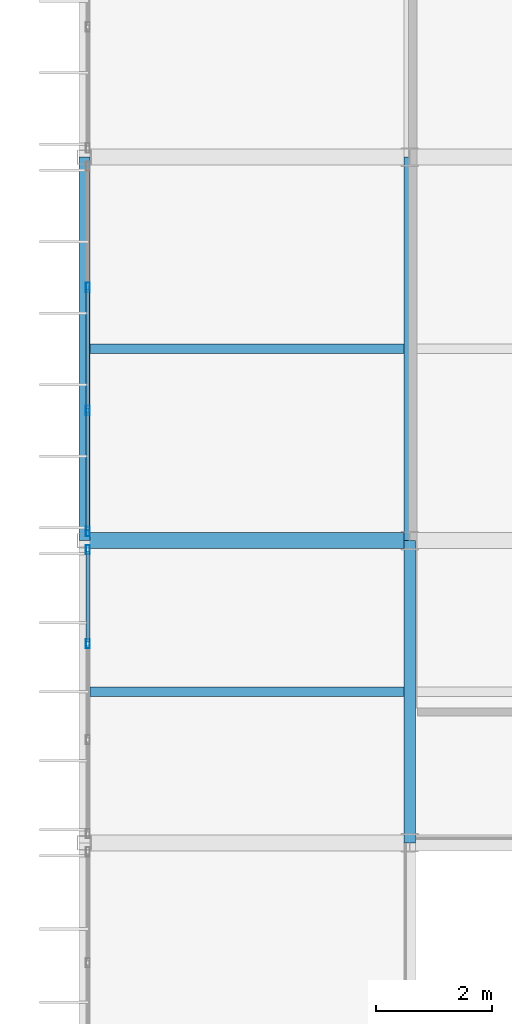
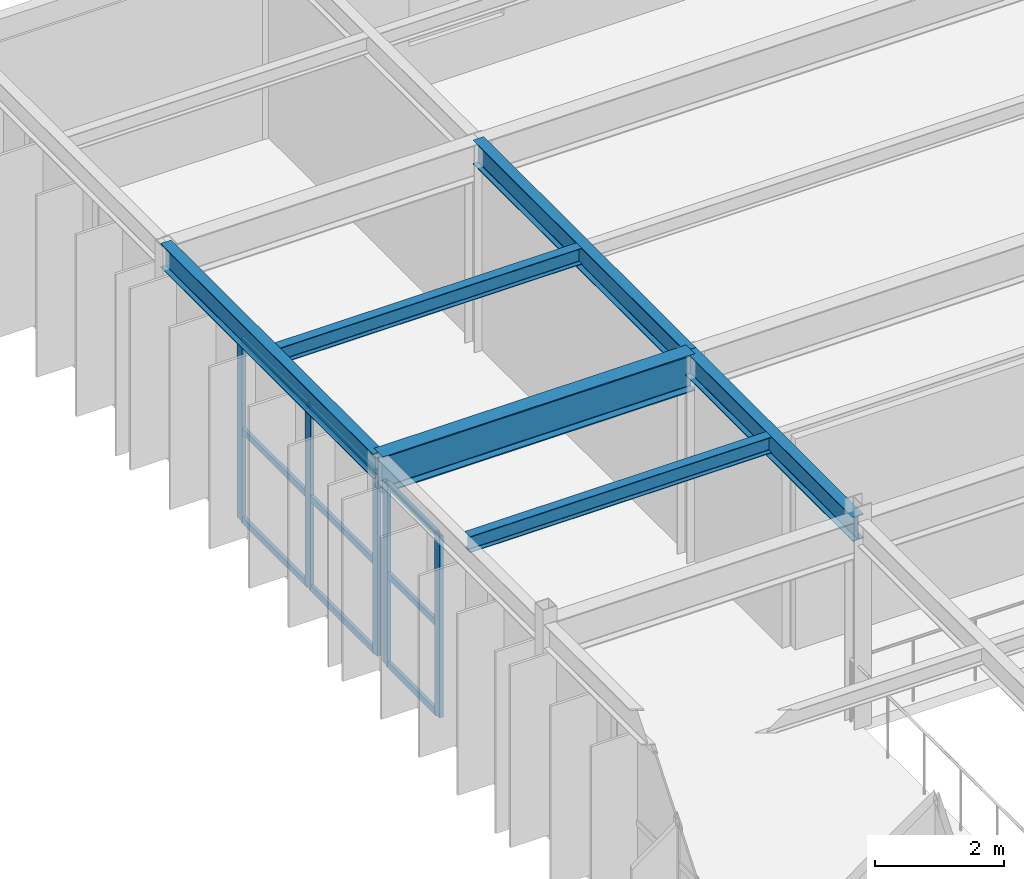
# One storey, part 46 of 157: 14 members, 6 beams, 2 elements without a shape of their own.
"""IFC4 building model written with IfcOpenShell, lengths in metres."""

import ifcopenshell
import ifcopenshell.guid

model = None  # the IFC model being written
_history = None  # IfcOwnerHistory: only IFC2X3 demands one
_inside = {}  # id of a spatial element -> (the spatial element, [elements in it])
_under = {}  # id of a project, library or spatial element -> (it, [spatial elements below it])
_declared = {}  # id of a project -> (the project, [libraries it declares])
_typed = {}  # id of a type object -> (the type object, [elements of that type])
_made_of = {}  # id of a material, layer set ... -> (it, [elements and type objects made of it])


def new_model(schema):
    """Start an empty IFC model of exactly this schema.

    Asked for "IFC4X3", IfcOpenShell would pick the latest addendum, in which some entities
    have other attributes; the version numbers below select the first issue.
    IFC2X3 requires an IfcOwnerHistory on every rooted entity: one is made here for all.
    """
    global model, _history
    if schema == "IFC4X3":
        model = ifcopenshell.file(schema_version=(4, 3, 0, 0))
    else:
        model = ifcopenshell.file(schema=schema)
    _inside.clear()
    _under.clear()
    _declared.clear()
    _typed.clear()
    _made_of.clear()
    _history = None
    if model.schema == "IFC2X3":
        org = make("IfcOrganization", Name="unknown")
        user = make(
            "IfcPersonAndOrganization",
            ThePerson=make("IfcPerson", FamilyName="unknown"),
            TheOrganization=org,
        )
        app = make(
            "IfcApplication",
            ApplicationDeveloper=org,
            Version="unknown",
            ApplicationFullName="unknown",
            ApplicationIdentifier="unknown",
        )
        _history = make(
            "IfcOwnerHistory",
            OwningUser=user,
            OwningApplication=app,
            ChangeAction="ADDED",
            CreationDate=0,
        )
    return model


def make(cls, **values):
    """One entity of the class cls with the attributes given. An attribute that is None is left unset."""
    return model.create_entity(
        cls, **{name: value for name, value in values.items() if value is not None}
    )


def rooted(cls, **values):
    """An entity with a GlobalId (a new one), such as an element, a storey or a relation."""
    return make(cls, GlobalId=ifcopenshell.guid.new(), OwnerHistory=_history, **values)


def si_unit(unit_type, name, prefix=None):
    """IfcSIUnit, for example si_unit("LENGTHUNIT", "METRE", prefix="MILLI")."""
    return make("IfcSIUnit", UnitType=unit_type, Prefix=prefix, Name=name)


def assignment(units):
    """IfcUnitAssignment: the units of a project."""
    return None if units is None else make("IfcUnitAssignment", Units=units)


def point(xyz):
    """IfcCartesianPoint."""
    return None if xyz is None else make("IfcCartesianPoint", Coordinates=xyz)


def direction(xyz):
    """IfcDirection."""
    return None if xyz is None else make("IfcDirection", DirectionRatios=xyz)


def frame(location, z_axis=None, x_axis=None):
    """IfcAxis2Placement3D, a coordinate frame: its origin and axes. An axis left out is left unset."""
    return make(
        "IfcAxis2Placement3D",
        Location=point(location),
        Axis=direction(z_axis),
        RefDirection=direction(x_axis),
    )


def frame_2d(location, x_axis=None):
    """IfcAxis2Placement2D, a coordinate frame in the plane: its origin and x axis."""
    return make(
        "IfcAxis2Placement2D", Location=point(location), RefDirection=direction(x_axis)
    )


def origin():
    """The frame at (0, 0, 0) with its axes left unset."""
    return frame((0.0, 0.0, 0.0))


def origin_2d():
    """The frame at (0, 0) in the plane with its x axis left unset."""
    return frame_2d((0.0, 0.0))


def place(relative_to, where):
    """IfcLocalPlacement: puts the frame where relative to a parent placement (None: the world)."""
    return make(
        "IfcLocalPlacement", PlacementRelTo=relative_to, RelativePlacement=where
    )


def context(
    kind, dimensions, precision=None, world=None, true_north=None, identifier=None
):
    """IfcGeometricRepresentationContext, for example the 3D "Model" context."""
    return make(
        "IfcGeometricRepresentationContext",
        ContextIdentifier=identifier,
        ContextType=kind,
        CoordinateSpaceDimension=dimensions,
        Precision=precision,
        WorldCoordinateSystem=world,
        TrueNorth=true_north,
    )


def subcontext(parent, identifier, kind, view, scale=None):
    """IfcGeometricRepresentationSubContext, for example "Body" below "Model"."""
    return make(
        "IfcGeometricRepresentationSubContext",
        ContextIdentifier=identifier,
        ContextType=kind,
        ParentContext=parent,
        TargetScale=scale,
        TargetView=view,
    )


def project(units=None, contexts=None):
    """IfcProject with its units and contexts."""
    return rooted(
        "IfcProject",
        Name="project",
        RepresentationContexts=contexts,
        UnitsInContext=assignment(units),
    )


def spatial(cls, under=None, at=None, **own):
    """A site, building, storey or space (cls), placed at a placement, below another one or the project."""
    s = rooted(cls, ObjectPlacement=at, **own)
    if under is not None:
        _under.setdefault(under.id(), (under, []))[1].append(s)
    return s


def profile(cls, at=None, kind="AREA", **sizes):
    """A parametric profile (cls). Its sizes go by their IFC names, for example OverallWidth=200.0."""
    return make(cls, ProfileType=kind, Position=at, **sizes)


def hollow_rectangle(**sizes):
    """IfcRectangleHollowProfileDef."""
    return profile("IfcRectangleHollowProfileDef", **sizes)


def i_section(**sizes):
    """IfcIShapeProfileDef."""
    return profile("IfcIShapeProfileDef", **sizes)


def extrude(swept, where, along, depth):
    """IfcExtrudedAreaSolid: the profile swept, set in the frame where, extruded along a direction by depth."""
    return make(
        "IfcExtrudedAreaSolid",
        SweptArea=swept,
        Position=where,
        ExtrudedDirection=direction(along),
        Depth=depth,
    )


def shape(context_of_items, identifier, shape_type, items):
    """IfcShapeRepresentation: the items that make up one representation, for example the "Body"."""
    return make(
        "IfcShapeRepresentation",
        ContextOfItems=context_of_items,
        RepresentationIdentifier=identifier,
        RepresentationType=shape_type,
        Items=items,
    )


def material(Name=None, Category=None):
    """IfcMaterial."""
    return make("IfcMaterial", Name=Name, Category=Category)


def material_profile(
    of_material, cross_section, Name=None, Category=None, Priority=None
):
    """IfcMaterialProfile: a cross section and its material."""
    return make(
        "IfcMaterialProfile",
        Name=Name,
        Material=of_material,
        Profile=cross_section,
        Priority=Priority,
        Category=Category,
    )


def profile_set(profiles, Name=None, composite=None):
    """IfcMaterialProfileSet."""
    return make(
        "IfcMaterialProfileSet",
        Name=Name,
        MaterialProfiles=profiles,
        CompositeProfile=composite,
    )


def made_of(thing, what):
    """Note that an element or type object is made of a material, layer set ...; save() writes the relation."""
    if what is not None:
        _made_of.setdefault(what.id(), (what, []))[1].append(thing)
    return thing


def type_object(cls, material=None, **own):
    """A type object (cls), such as IfcWallType, which elements share."""
    return made_of(rooted(cls, **own), material)


def element(
    cls,
    number,
    at=None,
    inside=None,
    cuts=None,
    type_object=None,
    material=None,
    context=None,
    identifier="Body",
    shape_type=None,
    held_by="IfcProductDefinitionShape",
    body=None,
    shapes=None,
    **own,
):
    """One element of the class cls, such as IfcWall. Its Tag is "e" and its number.

    at: its placement. inside: the storey or other place that contains it. cuts: it is an
    opening in that element (IfcRelVoidsElement). A single representation is given by context,
    identifier, shape_type and body (its items); several are given by shapes. held_by: the class
    of the entity that holds the representations. save() writes the other relations.
    """
    e = rooted(cls, Tag="e%d" % number, ObjectPlacement=at, **own)
    if body is not None:
        shapes = [shape(context, identifier, shape_type, body)]
    if shapes is not None:
        e.Representation = make(held_by, Representations=shapes)
    if inside is not None:
        _inside.setdefault(inside.id(), (inside, []))[1].append(e)
    if cuts is not None:
        rooted(
            "IfcRelVoidsElement", RelatingBuildingElement=cuts, RelatedOpeningElement=e
        )
    if type_object is not None:
        _typed.setdefault(type_object.id(), (type_object, []))[1].append(e)
    return made_of(e, material)


def aggregate(whole, parts):
    """IfcRelAggregates: a whole, such as a stair, and the parts it consists of."""
    return rooted("IfcRelAggregates", RelatingObject=whole, RelatedObjects=parts)


def save(model, path):
    """Write the relations noted so far, then the file.

    IfcRelAggregates (storeys below a building ...), IfcRelContainedInSpatialStructure (elements
    in a storey), IfcRelDefinesByType, IfcRelAssociatesMaterial and IfcRelDeclares: one each for
    every whole, place, type object, material and project.
    """
    for whole, parts in _under.values():
        aggregate(whole, parts)
    for where, things in _inside.values():
        rooted(
            "IfcRelContainedInSpatialStructure",
            RelatedElements=things,
            RelatingStructure=where,
        )
    for kind, things in _typed.values():
        rooted("IfcRelDefinesByType", RelatedObjects=things, RelatingType=kind)
    for what, things in _made_of.values():
        rooted("IfcRelAssociatesMaterial", RelatedObjects=things, RelatingMaterial=what)
    for by, libraries in _declared.values():
        rooted("IfcRelDeclares", RelatingContext=by, RelatedDefinitions=libraries)
    model.write(path)


model = new_model("IFC4")

# Units and contexts
model_context = context("Model", 3, precision=1e-05, world=origin(), true_north=direction((0.0, 1.0)))
body_context = subcontext(model_context, "Body", "Model", "MODEL_VIEW")
ifc_project = project(units=[si_unit("LENGTHUNIT", "METRE"), si_unit("AREAUNIT", "SQUARE_METRE"), si_unit("VOLUMEUNIT", "CUBIC_METRE"), si_unit("PLANEANGLEUNIT", "RADIAN"), si_unit("MASSUNIT", "GRAM", prefix="KILO")], contexts=[model_context])

# Site, building, storey
site_placement = place(None, origin())
site = spatial("IfcSite", under=ifc_project, at=site_placement, CompositionType="ELEMENT")
building_placement = place(site_placement, origin())
building = spatial("IfcBuilding", under=site, at=building_placement, Name="Karori Crest Natural Sciences Institute", CompositionType="ELEMENT")
storey_placement = place(building_placement, frame((0.0, 0.0, 13.300048828125)))
storey = spatial("IfcBuildingStorey", under=building, at=storey_placement, Name="L03", CompositionType="ELEMENT", Elevation=13.300048828125)

# Beams
ifc_material_1 = material(Name="Structural steel AS/NZS 3679.1 Grade 350", Category="steel")
ifc_material_profile_1 = material_profile(ifc_material_1, i_section(OverallWidth=0.27490234375, OverallDepth=0.699951171875, WebThickness=0.010009765625, FlangeThickness=0.02001953125, FilletRadius=0.013916015625, at=origin_2d()), Name="700WB150")
ifc_profile_set_1 = profile_set([ifc_material_profile_1], Name="Structural steel AS/NZS 3679.1 Grade 350")
beam_type_1 = type_object("IfcBeamType", Name="BT-03", PredefinedType="BEAM", material=ifc_profile_set_1)
beam_1_placement = place(storey_placement, frame((1.800048828125, 60.199951171875, 3.570068359375), z_axis=(1.0, 0.0, 0.0), x_axis=(0.0, 1.0, 0.0)))
element("IfcBeam", 1, at=beam_1_placement, inside=storey, type_object=beam_type_1, Name="Beam B-1152", PredefinedType="BEAM", context=body_context, shape_type="SweptSolid", body=[
    extrude(i_section(OverallWidth=0.27490234375, OverallDepth=0.699951171875, WebThickness=0.010009765625, FlangeThickness=0.02001953125, FilletRadius=0.013916015625, at=origin_2d()), origin(), (0.0, 0.0, 1.0), 5.599853515625),
])
ifc_material_profile_2 = material_profile(ifc_material_1, i_section(OverallWidth=0.19091796875, OverallDepth=0.4599609375, WebThickness=0.010009765625, FlangeThickness=0.01611328125, FilletRadius=0.010986328125, at=origin_2d()), Name="460UB82.1")
ifc_profile_set_2 = profile_set([ifc_material_profile_2], Name="Structural steel AS/NZS 3679.1 Grade 350")
beam_type_2 = type_object("IfcBeamType", Name="BT-06", PredefinedType="BEAM", material=ifc_profile_set_2)
beam_2_placement = place(storey_placement, frame((7.39990234375, 55.0, 3.68994140625), z_axis=(0.0, 1.0, 0.0), x_axis=(-1.0, 0.0, 0.0)))
element("IfcBeam", 2, at=beam_2_placement, inside=storey, type_object=beam_type_2, Name="Beam B-1172", PredefinedType="BEAM", context=body_context, shape_type="SweptSolid", body=[
    extrude(i_section(OverallWidth=0.19091796875, OverallDepth=0.4599609375, WebThickness=0.010009765625, FlangeThickness=0.01611328125, FilletRadius=0.010986328125, at=origin_2d()), origin(), (0.0, 0.0, 1.0), 5.199951171875),
])
beam_3_placement = place(storey_placement, frame((7.39990234375, 60.199951171875, 3.68994140625), z_axis=(0.0, 1.0, 0.0), x_axis=(-1.0, 0.0, 0.0)))
element("IfcBeam", 3, at=beam_3_placement, inside=storey, type_object=beam_type_2, Name="Beam B-1173", PredefinedType="BEAM", context=body_context, shape_type="SweptSolid", body=[
    extrude(i_section(OverallWidth=0.19091796875, OverallDepth=0.4599609375, WebThickness=0.010009765625, FlangeThickness=0.01611328125, FilletRadius=0.010986328125, at=origin_2d()), origin(), (0.0, 0.0, 1.0), 6.60009765625),
])
ifc_material_profile_3 = material_profile(ifc_material_1, i_section(OverallWidth=0.19091796875, OverallDepth=0.4599609375, WebThickness=0.010009765625, FlangeThickness=0.01611328125, FilletRadius=0.010986328125, at=origin_2d()), Name="460UB82.1")
ifc_profile_set_3 = profile_set([ifc_material_profile_3], Name="Structural steel AS/NZS 3679.1 Grade 350")
beam_type_3 = type_object("IfcBeamType", Name="BT-06-EL", PredefinedType="BEAM", material=ifc_profile_set_3)
beam_4_placement = place(storey_placement, frame((1.800048828125, 60.199951171875, 3.68994140625), z_axis=(0.0, 1.0, 0.0), x_axis=(-1.0, 0.0, 0.0)))
element("IfcBeam", 4, at=beam_4_placement, inside=storey, type_object=beam_type_3, Name="Beam B-1166", PredefinedType="BEAM", context=body_context, shape_type="SweptSolid", body=[
    extrude(i_section(OverallWidth=0.19091796875, OverallDepth=0.4599609375, WebThickness=0.010009765625, FlangeThickness=0.01611328125, FilletRadius=0.010986328125, at=origin_2d()), origin(), (0.0, 0.0, 1.0), 6.60009765625),
])
ifc_material_profile_4 = material_profile(ifc_material_1, i_section(OverallWidth=0.166015625, OverallDepth=0.306884765625, WebThickness=0.006591796875, FlangeThickness=0.01171875, FilletRadius=0.010986328125, at=origin_2d()), Name="310UB46.2")
ifc_profile_set_4 = profile_set([ifc_material_profile_4], Name="Structural steel AS/NZS 3679.1 Grade 350")
beam_type_4 = type_object("IfcBeamType", Name="BT-09", PredefinedType="BEAM", material=ifc_profile_set_4)
for number, where, z_axis, x_axis, name in (
    (5, (1.8955078125, 57.60009765625, 3.766357421875), (1.0, 0.0, 0.0), (0.0, 1.0, 0.0), "Beam B-1191"),
    (6, (1.8955078125, 63.5, 3.766357421875), (1.0, 0.0, 0.0), (0.0, 1.0, 0.0), "Beam B-1192"),
):
    element("IfcBeam", number, at=place(storey_placement, frame(where, z_axis=z_axis, x_axis=x_axis)), inside=storey, type_object=beam_type_4, Name=name, PredefinedType="BEAM", context=body_context, shape_type="SweptSolid", body=[
        extrude(i_section(OverallWidth=0.166015625, OverallDepth=0.306884765625, WebThickness=0.006591796875, FlangeThickness=0.01171875, FilletRadius=0.010986328125, at=origin_2d()), origin(), (0.0, 0.0, 1.0), 5.408935546875),
    ])

# Curtain wall, members
ifc_material_2 = material(Name="Anodised architectural aluminium 6063-T6", Category="aluminium")
curtain_wall_type = type_object("IfcCurtainWallType", Name="CWT-17", PredefinedType="NOTDEFINED", material=ifc_material_2)
curtain_wall_1_placement = place(storey_placement, origin())
curtain_wall_1 = element("IfcCurtainWall", 7, at=curtain_wall_1_placement, inside=storey, type_object=curtain_wall_type, Name="Curtain wall CW-0280", PredefinedType="NOTDEFINED")
ifc_material_profile_5 = material_profile(ifc_material_2, hollow_rectangle(XDim=0.06494140625, YDim=0.159912109375, WallThickness=0.00390625, at=origin_2d()), Name="CWM160x65x4")
ifc_profile_set_5 = profile_set([ifc_material_profile_5], Name="Anodised architectural aluminium 6063-T6")
member_type_1 = type_object("IfcMemberType", Name="CWM-01", PredefinedType="MULLION", material=ifc_profile_set_5)
member_1_placement = place(storey_placement, frame((1.860107421875, 58.42578125, 0.0), z_axis=(0.0, 0.0, 1.0), x_axis=(-1.0, 0.0, 0.0)))
member_1 = element("IfcMember", 8, at=member_1_placement, type_object=member_type_1, Name="CW-0280 mullion 3", PredefinedType="MULLION", context=body_context, shape_type="SweptSolid", body=[
    extrude(hollow_rectangle(XDim=0.06494140625, YDim=0.159912109375, WallThickness=0.00390625, at=origin_2d()), origin(), (0.0, 0.0, 1.0), 3.445068359375),
])
member_2_placement = place(storey_placement, frame((1.860107421875, 60.04443359375, 0.0), z_axis=(0.0, 0.0, 1.0), x_axis=(-1.0, 0.0, 0.0)))
member_2 = element("IfcMember", 9, at=member_2_placement, type_object=member_type_1, Name="CW-0280 mullion 4", PredefinedType="MULLION", context=body_context, shape_type="SweptSolid", body=[
    extrude(hollow_rectangle(XDim=0.06494140625, YDim=0.159912109375, WallThickness=0.00390625, at=origin_2d()), origin(), (0.0, 0.0, 1.0), 3.445068359375),
])

curtain_wall_2_placement = place(storey_placement, origin())
curtain_wall_2 = element("IfcCurtainWall", 10, at=curtain_wall_2_placement, inside=storey, type_object=curtain_wall_type, Name="Curtain wall CW-0281", PredefinedType="NOTDEFINED")
member_3_placement = place(storey_placement, frame((1.860107421875, 60.35546875, 0.0), z_axis=(0.0, 0.0, 1.0), x_axis=(-1.0, 0.0, 0.0)))
member_3 = element("IfcMember", 11, at=member_3_placement, type_object=member_type_1, Name="CW-0281 mullion 1", PredefinedType="MULLION", context=body_context, shape_type="SweptSolid", body=[
    extrude(hollow_rectangle(XDim=0.06494140625, YDim=0.159912109375, WallThickness=0.00390625, at=origin_2d()), origin(), (0.0, 0.0, 1.0), 3.445068359375),
])
member_4_placement = place(storey_placement, frame((1.860107421875, 62.44091796875, 0.0), z_axis=(0.0, 0.0, 1.0), x_axis=(-1.0, 0.0, 0.0)))
member_4 = element("IfcMember", 12, at=member_4_placement, type_object=member_type_1, Name="CW-0281 mullion 2", PredefinedType="MULLION", context=body_context, shape_type="SweptSolid", body=[
    extrude(hollow_rectangle(XDim=0.06494140625, YDim=0.159912109375, WallThickness=0.00390625, at=origin_2d()), origin(), (0.0, 0.0, 1.0), 3.445068359375),
])
member_5_placement = place(storey_placement, frame((1.860107421875, 64.55908203125, 0.0), z_axis=(0.0, 0.0, 1.0), x_axis=(-1.0, 0.0, 0.0)))
member_5 = element("IfcMember", 13, at=member_5_placement, type_object=member_type_1, Name="CW-0281 mullion 3", PredefinedType="MULLION", context=body_context, shape_type="SweptSolid", body=[
    extrude(hollow_rectangle(XDim=0.06494140625, YDim=0.159912109375, WallThickness=0.00390625, at=origin_2d()), origin(), (0.0, 0.0, 1.0), 3.445068359375),
])

# Member
ifc_material_profile_6 = material_profile(ifc_material_2, hollow_rectangle(XDim=0.06005859375, YDim=0.1201171875, WallThickness=0.00390625, at=origin_2d()), Name="CWT120x60x4")
ifc_profile_set_6 = profile_set([ifc_material_profile_6], Name="Anodised architectural aluminium 6063-T6")
member_type_2 = type_object("IfcMemberType", Name="CWT-TR1", PredefinedType="USERDEFINED", material=ifc_profile_set_6)
member_6_placement = place(storey_placement, frame((1.860107421875, 58.458251953125, 0.030029296875), z_axis=(0.0, 1.0, 0.0), x_axis=(-1.0, 0.0, 0.0)))
member_6 = element("IfcMember", 14, at=member_6_placement, type_object=member_type_2, Name="CW-0280 transom 3.1", ObjectType="TRANSOM", PredefinedType="USERDEFINED", context=body_context, shape_type="SweptSolid", body=[
    extrude(hollow_rectangle(XDim=0.06005859375, YDim=0.1201171875, WallThickness=0.00390625, at=origin_2d()), origin(), (0.0, 0.0, 1.0), 1.5537109375),
])

member_7_placement = place(storey_placement, frame((1.860107421875, 58.458251953125, 1.722412109375), z_axis=(0.0, 1.0, 0.0), x_axis=(-1.0, 0.0, 0.0)))
member_7 = element("IfcMember", 15, at=member_7_placement, type_object=member_type_2, Name="CW-0280 transom 3.2", ObjectType="TRANSOM", PredefinedType="USERDEFINED", context=body_context, shape_type="SweptSolid", body=[
    extrude(hollow_rectangle(XDim=0.06005859375, YDim=0.1201171875, WallThickness=0.00390625, at=origin_2d()), origin(), (0.0, 0.0, 1.0), 1.5537109375),
])

member_8_placement = place(storey_placement, frame((1.860107421875, 58.458251953125, 3.4150390625), z_axis=(0.0, 1.0, 0.0), x_axis=(-1.0, 0.0, 0.0)))
member_8 = element("IfcMember", 16, at=member_8_placement, type_object=member_type_2, Name="CW-0280 transom 3.3", ObjectType="TRANSOM", PredefinedType="USERDEFINED", context=body_context, shape_type="SweptSolid", body=[
    extrude(hollow_rectangle(XDim=0.06005859375, YDim=0.1201171875, WallThickness=0.00390625, at=origin_2d()), origin(), (0.0, 0.0, 1.0), 1.5537109375),
])

aggregate(curtain_wall_1, [member_1, member_2, member_6, member_7, member_8])

member_9_placement = place(storey_placement, frame((1.860107421875, 60.387939453125, 0.030029296875), z_axis=(0.0, 1.0, 0.0), x_axis=(-1.0, 0.0, 0.0)))
member_9 = element("IfcMember", 17, at=member_9_placement, type_object=member_type_2, Name="CW-0281 transom 1.1", ObjectType="TRANSOM", PredefinedType="USERDEFINED", context=body_context, shape_type="SweptSolid", body=[
    extrude(hollow_rectangle(XDim=0.06005859375, YDim=0.1201171875, WallThickness=0.00390625, at=origin_2d()), origin(), (0.0, 0.0, 1.0), 2.0205078125),
])

member_10_placement = place(storey_placement, frame((1.860107421875, 60.387939453125, 1.722412109375), z_axis=(0.0, 1.0, 0.0), x_axis=(-1.0, 0.0, 0.0)))
member_10 = element("IfcMember", 18, at=member_10_placement, type_object=member_type_2, Name="CW-0281 transom 1.2", ObjectType="TRANSOM", PredefinedType="USERDEFINED", context=body_context, shape_type="SweptSolid", body=[
    extrude(hollow_rectangle(XDim=0.06005859375, YDim=0.1201171875, WallThickness=0.00390625, at=origin_2d()), origin(), (0.0, 0.0, 1.0), 2.0205078125),
])

member_11_placement = place(storey_placement, frame((1.860107421875, 60.387939453125, 3.4150390625), z_axis=(0.0, 1.0, 0.0), x_axis=(-1.0, 0.0, 0.0)))
member_11 = element("IfcMember", 19, at=member_11_placement, type_object=member_type_2, Name="CW-0281 transom 1.3", ObjectType="TRANSOM", PredefinedType="USERDEFINED", context=body_context, shape_type="SweptSolid", body=[
    extrude(hollow_rectangle(XDim=0.06005859375, YDim=0.1201171875, WallThickness=0.00390625, at=origin_2d()), origin(), (0.0, 0.0, 1.0), 2.0205078125),
])

member_12_placement = place(storey_placement, frame((1.860107421875, 62.473388671875, 0.030029296875), z_axis=(0.0, 1.0, 0.0), x_axis=(-1.0, 0.0, 0.0)))
member_12 = element("IfcMember", 20, at=member_12_placement, type_object=member_type_2, Name="CW-0281 transom 2.1", ObjectType="TRANSOM", PredefinedType="USERDEFINED", context=body_context, shape_type="SweptSolid", body=[
    extrude(hollow_rectangle(XDim=0.06005859375, YDim=0.1201171875, WallThickness=0.00390625, at=origin_2d()), origin(), (0.0, 0.0, 1.0), 2.05322265625),
])

member_13_placement = place(storey_placement, frame((1.860107421875, 62.473388671875, 1.722412109375), z_axis=(0.0, 1.0, 0.0), x_axis=(-1.0, 0.0, 0.0)))
member_13 = element("IfcMember", 21, at=member_13_placement, type_object=member_type_2, Name="CW-0281 transom 2.2", ObjectType="TRANSOM", PredefinedType="USERDEFINED", context=body_context, shape_type="SweptSolid", body=[
    extrude(hollow_rectangle(XDim=0.06005859375, YDim=0.1201171875, WallThickness=0.00390625, at=origin_2d()), origin(), (0.0, 0.0, 1.0), 2.05322265625),
])

member_14_placement = place(storey_placement, frame((1.860107421875, 62.473388671875, 3.4150390625), z_axis=(0.0, 1.0, 0.0), x_axis=(-1.0, 0.0, 0.0)))
member_14 = element("IfcMember", 22, at=member_14_placement, type_object=member_type_2, Name="CW-0281 transom 2.3", ObjectType="TRANSOM", PredefinedType="USERDEFINED", context=body_context, shape_type="SweptSolid", body=[
    extrude(hollow_rectangle(XDim=0.06005859375, YDim=0.1201171875, WallThickness=0.00390625, at=origin_2d()), origin(), (0.0, 0.0, 1.0), 2.05322265625),
])

aggregate(curtain_wall_2, [member_3, member_4, member_5, member_9, member_10, member_11, member_12, member_13, member_14])

save(model, "model.ifc")
